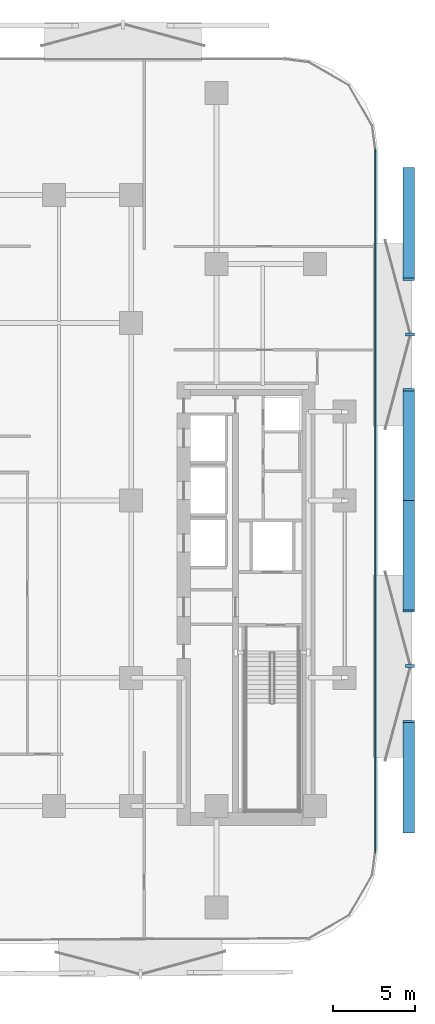
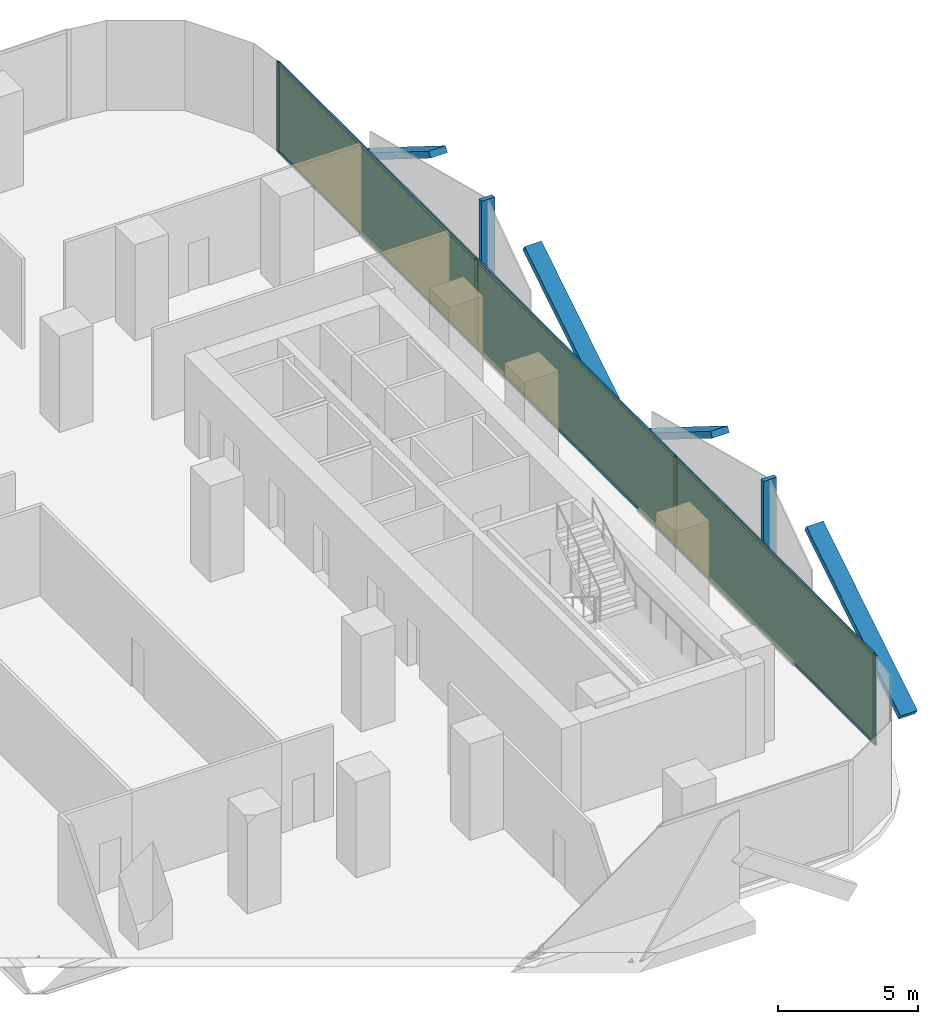
# One storey, part 9 of 15: 16 members, 3 plates, 1 curtain wall.
"""IFC4 building model written with IfcOpenShell, lengths in metres."""

from ifc_helpers import new_model, si_unit, direction, frame, frame_2d, origin, origin_2d, place, context, subcontext, project, spatial, rectangle, extrude, material, layer, layer_set, material_profile, profile_set, type_object, element, aggregate, save


model = new_model("IFC4")

# Units and contexts
model_context = context("Model", 3, precision=1e-05, world=origin(), true_north=direction((0.0, 1.0)))
body_context = subcontext(model_context, "Body", "Model", "MODEL_VIEW")
ifc_project = project(units=[si_unit("LENGTHUNIT", "METRE"), si_unit("AREAUNIT", "SQUARE_METRE"), si_unit("VOLUMEUNIT", "CUBIC_METRE"), si_unit("PLANEANGLEUNIT", "RADIAN"), si_unit("MASSUNIT", "GRAM", prefix="KILO")], contexts=[model_context])

# Member
ifc_material_1 = material(Name="Anodised Bronze Aluminium 6063-T6", Category="aluminium")
ifc_material_profile_1 = material_profile(ifc_material_1, rectangle(XDim=0.260009765625, YDim=0.699951171875, at=origin_2d()))
ifc_profile_set_1 = profile_set([ifc_material_profile_1], Name="Anodised Bronze Aluminium 6063-T6")
member_type_1 = type_object("IfcMemberType", Name="Bronze Diamond Solar-Screen Lattice Rib BDL-700", PredefinedType="MULLION", material=ifc_profile_set_1)
site_placement = place(None, origin())
building_placement = place(site_placement, origin())
storey_placement = place(building_placement, frame((0.0, 0.0, 38.60009765625)))
member_1_placement = place(storey_placement, frame((26.10009765625, 20.19091796875, -0.130126953125), z_axis=(0.0, -0.848371528126, 0.529401313057), x_axis=(0.0, -0.529401313057, -0.848371528126)))
member_1 = element("IfcMember", 1, at=member_1_placement, type_object=member_type_1, Name="L09 Bronze Diamond Solar Screen Lattice Rib 31A", PredefinedType="MULLION", context=body_context, shape_type="SweptSolid", body=[
    extrude(rectangle(XDim=0.260009765625, YDim=0.699951171875, at=origin_2d()), origin(), (0.0, 0.0, 1.0), 7.933349609375),
])

member_2_placement = place(storey_placement, frame((26.10009765625, 0.0, -0.130126953125), z_axis=(0.0, 0.848362902952, 0.529415134744), x_axis=(0.0, 0.529415134744, -0.848362902952)))
member_2 = element("IfcMember", 2, at=member_2_placement, type_object=member_type_1, Name="L09 Bronze Diamond Solar Screen Lattice Rib 31B", PredefinedType="MULLION", context=body_context, shape_type="SweptSolid", body=[
    extrude(rectangle(XDim=0.260009765625, YDim=0.699951171875, at=origin_2d()), origin(), (0.0, 0.0, 1.0), 7.93310546875),
])

member_3_placement = place(storey_placement, frame((26.10009765625, 0.0, -0.130126953125), z_axis=(0.0, -0.848362902952, 0.529415134744), x_axis=(0.0, -0.529415134744, -0.848362902952)))
member_3 = element("IfcMember", 3, at=member_3_placement, type_object=member_type_1, Name="L09 Bronze Diamond Solar Screen Lattice Rib 32A", PredefinedType="MULLION", context=body_context, shape_type="SweptSolid", body=[
    extrude(rectangle(XDim=0.260009765625, YDim=0.699951171875, at=origin_2d()), origin(), (0.0, 0.0, 1.0), 7.93310546875),
])

member_4_placement = place(storey_placement, frame((26.10009765625, -20.19091796875, -0.130126953125), z_axis=(0.0, 0.848371528126, 0.529401313057), x_axis=(0.0, 0.529401313057, -0.848371528126)))
member_4 = element("IfcMember", 4, at=member_4_placement, type_object=member_type_1, Name="L09 Bronze Diamond Solar Screen Lattice Rib 32B", PredefinedType="MULLION", context=body_context, shape_type="SweptSolid", body=[
    extrude(rectangle(XDim=0.260009765625, YDim=0.699951171875, at=origin_2d()), origin(), (0.0, 0.0, 1.0), 7.933349609375),
])

ifc_material_2 = material(Name="Anodised Bronze Aluminium 6063-T6", Category="aluminium")
ifc_material_profile_2 = material_profile(ifc_material_2, rectangle(XDim=0.179931640625, YDim=0.5400390625, at=origin_2d()))
ifc_profile_set_2 = profile_set([ifc_material_profile_2], Name="Anodised Bronze Aluminium 6063-T6")
member_type_2 = type_object("IfcMemberType", Name="Bronze Solar-Screen Vertical Fold Fin BSF-540", PredefinedType="MULLION", material=ifc_profile_set_2)
member_5_placement = place(storey_placement, frame((26.179931640625, 10.095458984375, -0.130126953125), z_axis=(0.0, 0.0, 1.0), x_axis=(0.0, -1.0, 0.0)))
member_5 = element("IfcMember", 5, at=member_5_placement, type_object=member_type_2, Name="L09 Bronze Solar Screen Vertical Fin 31", PredefinedType="MULLION", context=body_context, shape_type="SweptSolid", body=[
    extrude(rectangle(XDim=0.179931640625, YDim=0.5400390625, at=origin_2d()), origin(), (0.0, 0.0, 1.0), 4.199951171875),
])

member_6_placement = place(storey_placement, frame((26.179931640625, -10.095458984375, -0.130126953125), z_axis=(0.0, 0.0, 1.0), x_axis=(0.0, -1.0, 0.0)))
member_6 = element("IfcMember", 6, at=member_6_placement, type_object=member_type_2, Name="L09 Bronze Solar Screen Vertical Fin 32", PredefinedType="MULLION", context=body_context, shape_type="SweptSolid", body=[
    extrude(rectangle(XDim=0.179931640625, YDim=0.5400390625, at=origin_2d()), origin(), (0.0, 0.0, 1.0), 4.199951171875),
])

ifc_material_3 = material(Name="Anodised Bronze Aluminium 6063-T6", Category="aluminium")
ifc_material_profile_3 = material_profile(ifc_material_3, rectangle(XDim=0.06494140625, YDim=0.179931640625, at=origin_2d()))
ifc_profile_set_3 = profile_set([ifc_material_profile_3], Name="Anodised Bronze Aluminium 6063-T6")
member_type_3 = type_object("IfcMemberType", Name="CW-Z1 Mullion 65x180", PredefinedType="MULLION", material=ifc_profile_set_3)
member_7_placement = place(storey_placement, frame((24.06005859375, 21.3583984375, 0.0), z_axis=(0.0, 0.0, 1.0), x_axis=(1.0, 0.0, 0.0)))
member_7 = element("IfcMember", 7, at=member_7_placement, type_object=member_type_3, Name="CW-Z1 mullion 1", PredefinedType="MULLION", context=body_context, shape_type="SweptSolid", body=[
    extrude(rectangle(XDim=0.06494140625, YDim=0.179931640625, at=origin_2d()), origin(), (0.0, 0.0, 1.0), 3.93994140625),
])

member_8_placement = place(storey_placement, frame((24.06005859375, 7.13037109375, 0.0), z_axis=(0.0, 0.0, 1.0), x_axis=(1.0, 0.0, 0.0)))
member_8 = element("IfcMember", 8, at=member_8_placement, type_object=member_type_3, Name="CW-Z1 mullion 2", PredefinedType="MULLION", context=body_context, shape_type="SweptSolid", body=[
    extrude(rectangle(XDim=0.06494140625, YDim=0.179931640625, at=origin_2d()), origin(), (0.0, 0.0, 1.0), 3.93994140625),
])

member_9_placement = place(storey_placement, frame((24.06005859375, -7.13037109375, 0.0), z_axis=(0.0, 0.0, 1.0), x_axis=(1.0, 0.0, 0.0)))
member_9 = element("IfcMember", 9, at=member_9_placement, type_object=member_type_3, Name="CW-Z1 mullion 3", PredefinedType="MULLION", context=body_context, shape_type="SweptSolid", body=[
    extrude(rectangle(XDim=0.06494140625, YDim=0.179931640625, at=origin_2d()), origin(), (0.0, 0.0, 1.0), 3.93994140625),
])

member_10_placement = place(storey_placement, frame((24.06005859375, -21.3583984375, 0.0), z_axis=(0.0, 0.0, 1.0), x_axis=(1.0, 0.0, 0.0)))
member_10 = element("IfcMember", 10, at=member_10_placement, type_object=member_type_3, Name="CW-Z1 mullion 4", PredefinedType="MULLION", context=body_context, shape_type="SweptSolid", body=[
    extrude(rectangle(XDim=0.06494140625, YDim=0.179931640625, at=origin_2d()), origin(), (0.0, 0.0, 1.0), 3.93994140625),
])

ifc_material_4 = material(Name="Anodised Bronze Aluminium 6063-T6", Category="aluminium")
ifc_material_profile_4 = material_profile(ifc_material_4, rectangle(XDim=0.06494140625, YDim=0.139892578125, at=origin_2d()))
ifc_profile_set_4 = profile_set([ifc_material_profile_4], Name="Anodised Bronze Aluminium 6063-T6")
member_type_4 = type_object("IfcMemberType", Name="CW-Z1 Transom 65x140", PredefinedType="USERDEFINED", material=ifc_profile_set_4)
member_11_placement = place(storey_placement, frame((24.06005859375, 21.32568359375, 0.032470703125), z_axis=(0.0, -1.0, 0.0), x_axis=(1.0, 0.0, 0.0)))
member_11 = element("IfcMember", 11, at=member_11_placement, type_object=member_type_4, Name="CW-Z1 transom 1.1", ObjectType="TRANSOM", PredefinedType="USERDEFINED", context=body_context, shape_type="SweptSolid", body=[
    extrude(rectangle(XDim=0.06494140625, YDim=0.139892578125, at=origin_2d()), origin(), (0.0, 0.0, 1.0), 14.162841796875),
])

member_12_placement = place(storey_placement, frame((24.06005859375, 21.32568359375, 3.907470703125), z_axis=(0.0, -1.0, 0.0), x_axis=(1.0, 0.0, 0.0)))
member_12 = element("IfcMember", 12, at=member_12_placement, type_object=member_type_4, Name="CW-Z1 transom 1.2", ObjectType="TRANSOM", PredefinedType="USERDEFINED", context=body_context, shape_type="SweptSolid", body=[
    extrude(rectangle(XDim=0.06494140625, YDim=0.139892578125, at=origin_2d()), origin(), (0.0, 0.0, 1.0), 14.162841796875),
])

member_13_placement = place(storey_placement, frame((24.06005859375, 7.09765625, 0.032470703125), z_axis=(0.0, -1.0, 0.0), x_axis=(1.0, 0.0, 0.0)))
member_13 = element("IfcMember", 13, at=member_13_placement, type_object=member_type_4, Name="CW-Z1 transom 2.1", ObjectType="TRANSOM", PredefinedType="USERDEFINED", context=body_context, shape_type="SweptSolid", body=[
    extrude(rectangle(XDim=0.06494140625, YDim=0.139892578125, at=origin_2d()), origin(), (0.0, 0.0, 1.0), 14.1953125),
])

member_14_placement = place(storey_placement, frame((24.06005859375, 7.09765625, 3.907470703125), z_axis=(0.0, -1.0, 0.0), x_axis=(1.0, 0.0, 0.0)))
member_14 = element("IfcMember", 14, at=member_14_placement, type_object=member_type_4, Name="CW-Z1 transom 2.2", ObjectType="TRANSOM", PredefinedType="USERDEFINED", context=body_context, shape_type="SweptSolid", body=[
    extrude(rectangle(XDim=0.06494140625, YDim=0.139892578125, at=origin_2d()), origin(), (0.0, 0.0, 1.0), 14.1953125),
])

member_15_placement = place(storey_placement, frame((24.06005859375, -7.162841796875, 0.032470703125), z_axis=(0.0, -1.0, 0.0), x_axis=(1.0, 0.0, 0.0)))
member_15 = element("IfcMember", 15, at=member_15_placement, type_object=member_type_4, Name="CW-Z1 transom 3.1", ObjectType="TRANSOM", PredefinedType="USERDEFINED", context=body_context, shape_type="SweptSolid", body=[
    extrude(rectangle(XDim=0.06494140625, YDim=0.139892578125, at=origin_2d()), origin(), (0.0, 0.0, 1.0), 14.162841796875),
])

member_16_placement = place(storey_placement, frame((24.06005859375, -7.162841796875, 3.907470703125), z_axis=(0.0, -1.0, 0.0), x_axis=(1.0, 0.0, 0.0)))
member_16 = element("IfcMember", 16, at=member_16_placement, type_object=member_type_4, Name="CW-Z1 transom 3.2", ObjectType="TRANSOM", PredefinedType="USERDEFINED", context=body_context, shape_type="SweptSolid", body=[
    extrude(rectangle(XDim=0.06494140625, YDim=0.139892578125, at=origin_2d()), origin(), (0.0, 0.0, 1.0), 14.162841796875),
])

# Plate
ifc_material_5 = material(Name="Low-E Solar Control Laminated Glass", Category="glass")
ifc_layer_1 = layer(ifc_material_5, 0.028076171875, Name="Low-E Solar Control Laminated Glass")
ifc_layer_set_1 = layer_set([ifc_layer_1], Name="Low-E Solar Control Laminated Glass")
plate_type = type_object("IfcPlateType", Name="CW-Z1 Low-E Double Glazed Panel 28mm", PredefinedType="CURTAIN_PANEL", material=ifc_layer_set_1)
plate_1_placement = place(storey_placement, frame((24.06005859375, 14.244384765625, 0.06494140625), z_axis=(0.0, 0.0, 1.0), x_axis=(0.0, -1.0, 0.0)))
plate_1 = element("IfcPlate", 17, at=plate_1_placement, type_object=plate_type, Name="CW-Z1 panel 1.1", PredefinedType="CURTAIN_PANEL", context=body_context, shape_type="SweptSolid", body=[
    extrude(rectangle(XDim=14.1630859375, YDim=0.028076171875, at=origin_2d()), origin(), (0.0, 0.0, 1.0), 3.81005859375),
])

plate_2_placement = place(storey_placement, frame((24.06005859375, 0.0, 0.06494140625), z_axis=(0.0, 0.0, 1.0), x_axis=(0.0, -1.0, 0.0)))
plate_2 = element("IfcPlate", 18, at=plate_2_placement, type_object=plate_type, Name="CW-Z1 panel 2.1", PredefinedType="CURTAIN_PANEL", context=body_context, shape_type="SweptSolid", body=[
    extrude(rectangle(XDim=14.195556640625, YDim=0.028076171875, at=origin_2d()), origin(), (0.0, 0.0, 1.0), 3.81005859375),
])

plate_3_placement = place(storey_placement, frame((24.06005859375, -14.244384765625, 0.06494140625), z_axis=(0.0, 0.0, 1.0), x_axis=(0.0, -1.0, 0.0)))
plate_3 = element("IfcPlate", 19, at=plate_3_placement, type_object=plate_type, Name="CW-Z1 panel 3.1", PredefinedType="CURTAIN_PANEL", context=body_context, shape_type="SweptSolid", body=[
    extrude(rectangle(XDim=14.1630859375, YDim=0.028076171875, at=origin_2d()), origin(), (0.0, 0.0, 1.0), 3.81005859375),
])

# Site, building, storey
site = spatial("IfcSite", under=ifc_project, at=site_placement, CompositionType="ELEMENT")
building = spatial("IfcBuilding", under=site, at=building_placement, Name="Khairoan Windgate Tower", CompositionType="ELEMENT")
storey = spatial("IfcBuildingStorey", under=building, at=storey_placement, Name="L09", CompositionType="ELEMENT", Elevation=38.60009765625)

# Curtain wall
ifc_material_6 = material(Name="Anodised Bronze Aluminium 6063-T6", Category="aluminium")
ifc_layer_2 = layer(ifc_material_6, 0.179931640625, Name="Anodised Bronze Aluminium 6063-T6")
ifc_layer_set_2 = layer_set([ifc_layer_2], Name="Anodised Bronze Aluminium 6063-T6")
curtain_wall_type = type_object("IfcCurtainWallType", Name="Low-Rise Office Unitised Curtain Wall CW-Z1", PredefinedType="NOTDEFINED", material=ifc_layer_set_2)
curtain_wall_placement = place(storey_placement, frame((24.06005859375, 21.390869140625, 0.0), z_axis=(0.0, 0.0, 1.0), x_axis=(0.0, -1.0, 0.0)))
curtain_wall = element("IfcCurtainWall", 20, at=curtain_wall_placement, inside=storey, type_object=curtain_wall_type, Name="L09 Unitised Curtain Wall 16", PredefinedType="NOTDEFINED", context=body_context, shape_type="SweptSolid", body=[
    extrude(rectangle(XDim=42.78173828125, YDim=0.010009765625, at=frame_2d((21.390869140625, 0.0))), origin(), (0.0, 0.0, 1.0), 3.93994140625),
])

aggregate(curtain_wall, [member_7, member_8, member_9, member_10, member_11, member_12, plate_1, member_13, member_14, plate_2, member_15, member_16, plate_3, member_1, member_2, member_5, member_3, member_4, member_6])

save(model, "model.ifc")
